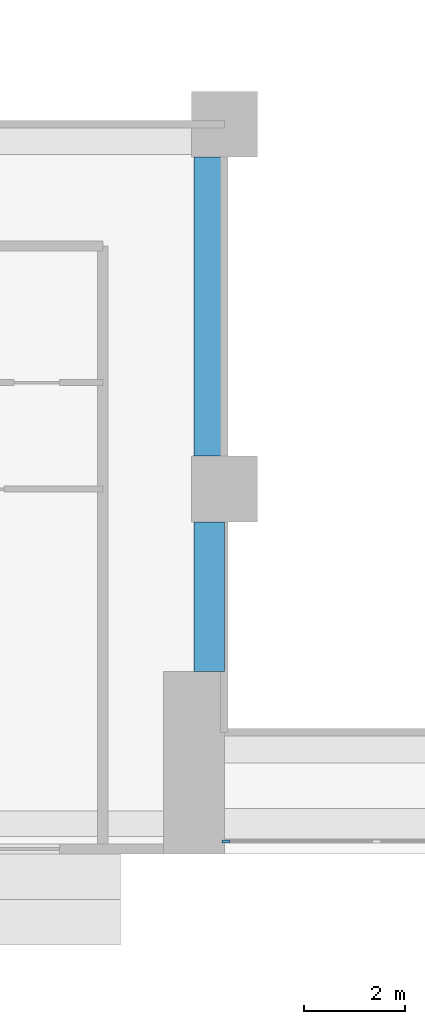
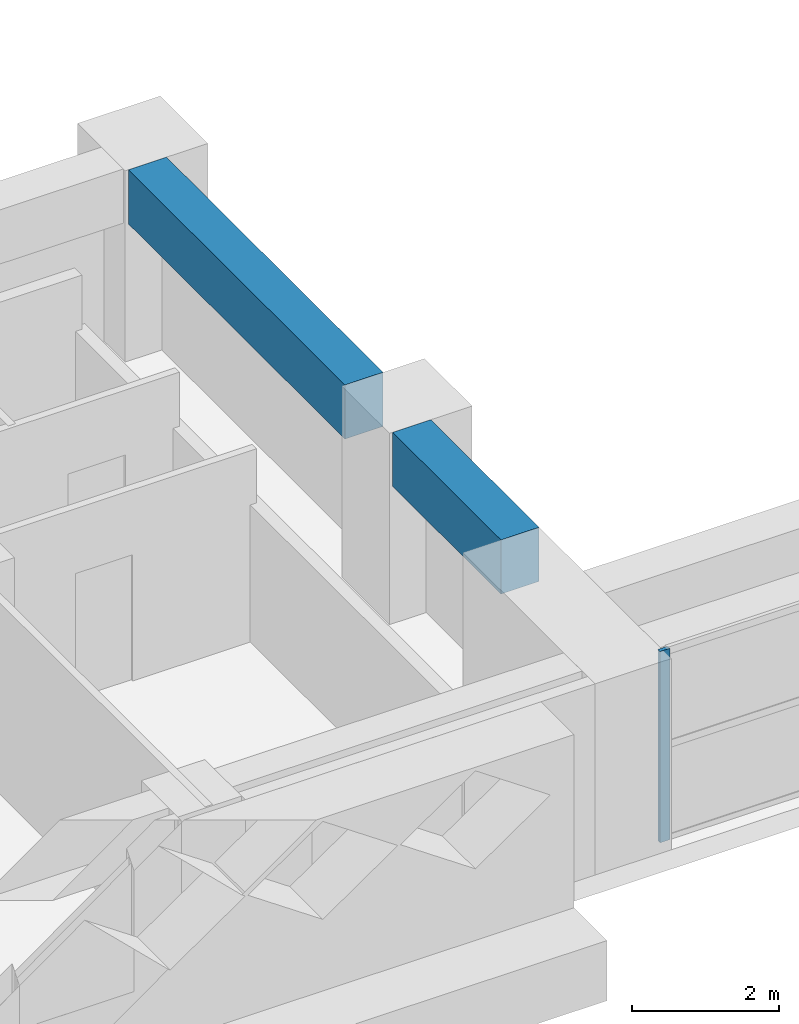
# One storey, part 2 of 17: 2 beams, 1 member, 1 element without a shape of its own.
"""IFC4 building model written with IfcOpenShell, lengths in metres."""

from ifc_helpers import new_model, si_unit, direction, frame, origin, origin_2d, place, context, subcontext, project, spatial, rectangle, extrude, source, transform, mapped, material, layer, layer_set, material_profile, profile_set, type_object, element, aggregate, save


model = new_model("IFC4")

# Units and contexts
model_context = context("Model", 3, precision=1e-05, world=origin(), true_north=direction((0.0, 1.0)))
body_context = subcontext(model_context, "Body", "Model", "MODEL_VIEW")
ifc_project = project(units=[si_unit("LENGTHUNIT", "METRE"), si_unit("AREAUNIT", "SQUARE_METRE"), si_unit("VOLUMEUNIT", "CUBIC_METRE"), si_unit("PLANEANGLEUNIT", "RADIAN"), si_unit("MASSUNIT", "GRAM", prefix="KILO")], contexts=[model_context])

# Site, building, storey
site_placement = place(None, origin())
site = spatial("IfcSite", under=ifc_project, at=site_placement, CompositionType="ELEMENT")
building_placement = place(site_placement, origin())
building = spatial("IfcBuilding", under=site, at=building_placement, Name="Saffron Iwan Residences", CompositionType="ELEMENT")
storey_placement = place(building_placement, frame((0.0, 0.0, 72.5)))
storey = spatial("IfcBuildingStorey", under=building, at=storey_placement, Name="L18", CompositionType="ELEMENT", Elevation=72.5)

# Beams
ifc_material_1 = material(Name="Concrete C60/75", Category="concrete")
ifc_material_profile_1 = material_profile(ifc_material_1, rectangle(XDim=0.60009765625, YDim=0.89990234375, at=origin_2d()), Name="RC 600x900")
ifc_profile_set_1 = profile_set([ifc_material_profile_1], Name="Concrete C60/75")
beam_type = type_object("IfcBeamType", Name="BEAM RC 600x900 C60/75 TOP 3180", PredefinedType="BEAM", material=ifc_profile_set_1)
shared_shape_1 = source(origin(), body_context, "Body", "SweptSolid", [
    extrude(rectangle(XDim=0.60009765625, YDim=0.89990234375, at=origin_2d()), origin(), (0.0, 0.0, 1.0), 2.949951171875),
])
beam_1_placement = place(storey_placement, frame((42.89990234375, 37.199951171875, 2.72998046875), z_axis=(0.0, 1.0, 0.0), x_axis=(-1.0, 0.0, 0.0)))
element("IfcBeam", 1, at=beam_1_placement, inside=storey, type_object=beam_type, Name="Atrium edge beam", PredefinedType="BEAM", context=body_context, shape_type="MappedRepresentation", body=[
    mapped(shared_shape_1, transform((0.0, 0.0, 0.0))),
])
shared_shape_2 = source(origin(), body_context, "Body", "SweptSolid", [
    extrude(rectangle(XDim=0.60009765625, YDim=0.89990234375, at=origin_2d()), origin(), (0.0, 0.0, 1.0), 5.900146484375),
])
beam_2_placement = place(storey_placement, frame((42.89990234375, 41.449951171875, 2.72998046875), z_axis=(0.0, 1.0, 0.0), x_axis=(-1.0, 0.0, 0.0)))
element("IfcBeam", 2, at=beam_2_placement, inside=storey, type_object=beam_type, Name="Atrium edge beam", PredefinedType="BEAM", context=body_context, shape_type="MappedRepresentation", body=[
    mapped(shared_shape_2, transform((0.0, 0.0, 0.0))),
])

# Curtain wall, member
ifc_material_2 = material(Name="Clear glass, laminated double glazed", Category="glass")
ifc_layer = layer(ifc_material_2, 0.199951171875)
ifc_layer_set = layer_set([ifc_layer], Name="Clear glass, laminated double glazed")
curtain_wall_type = type_object("IfcCurtainWallType", Name="CW-B IWAN PORTAL", PredefinedType="NOTDEFINED", material=ifc_layer_set)
curtain_wall_placement = place(storey_placement, origin())
curtain_wall = element("IfcCurtainWall", 3, at=curtain_wall_placement, inside=storey, type_object=curtain_wall_type, Name="Iwan portal glazing L18.1", PredefinedType="NOTDEFINED")
ifc_material_3 = material(Name="Aluminium 6063-T6", Category="aluminium")
ifc_material_profile_2 = material_profile(ifc_material_3, rectangle(XDim=0.06005859375, YDim=0.159912109375, at=origin_2d()), Name="CW-B MULLION 60 x 160")
ifc_profile_set_2 = profile_set([ifc_material_profile_2], Name="Aluminium 6063-T6")
member_type = type_object("IfcMemberType", Name="CW-B MULLION 60 x 160", PredefinedType="MULLION", material=ifc_profile_set_2)
shared_shape_3 = source(origin(), body_context, "Body", "SweptSolid", [
    extrude(rectangle(XDim=0.06005859375, YDim=0.159912109375, at=origin_2d()), origin(), (0.0, 0.0, 1.0), 3.179931640625),
])
member_placement = place(storey_placement, frame((43.22998046875, 33.85009765625, 0.0), z_axis=(0.0, 0.0, 1.0), x_axis=(0.0, 1.0, 0.0)))
member = element("IfcMember", 4, at=member_placement, type_object=member_type, Name="CW-B mullion 1", PredefinedType="MULLION", context=body_context, shape_type="MappedRepresentation", body=[
    mapped(shared_shape_3, transform((0.0, 0.0, 0.0))),
])
aggregate(curtain_wall, [member])

save(model, "model.ifc")
